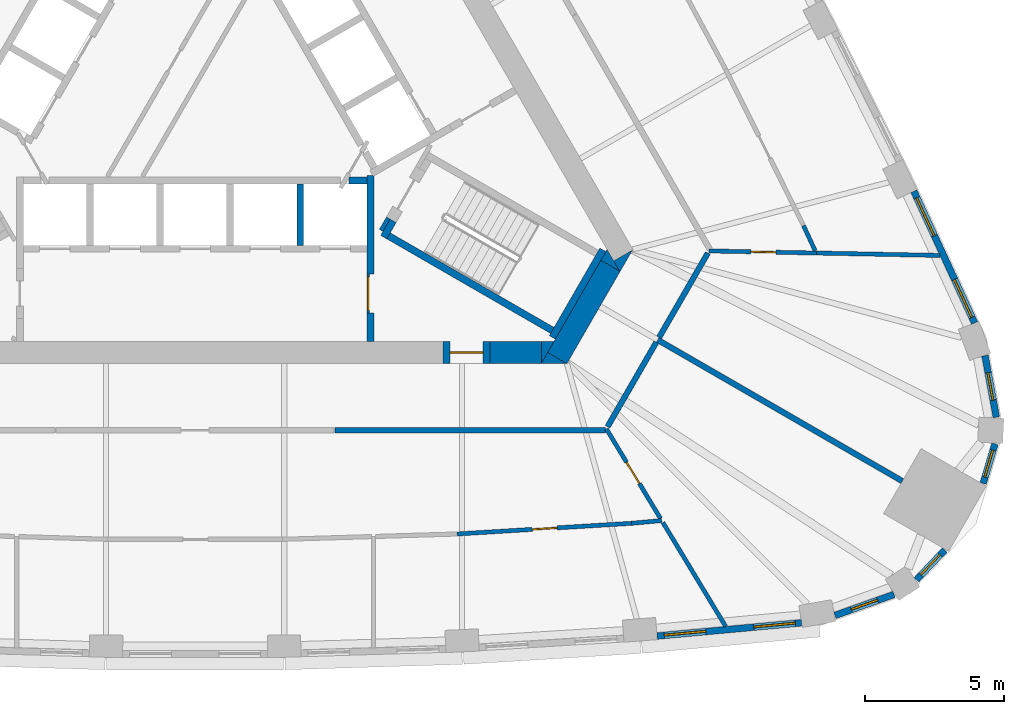
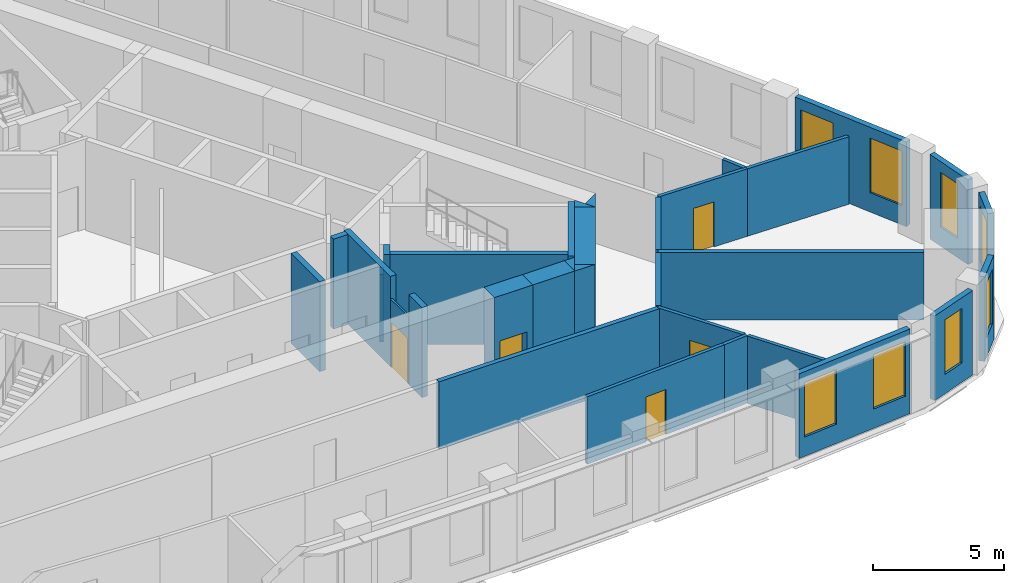
# One storey, part 6 of 10: 33 walls, 8 windows, 5 doors, 13 openings.
"""IFC4 building model written with IfcOpenShell, lengths in metres."""

from ifc_helpers import new_model, si_unit, direction, frame, frame_2d, origin, place, context, subcontext, project, spatial, polyline, rectangle, outline, extrude, material, layer, layer_set, type_object, element, fill, save


model = new_model("IFC4")

# Units and contexts
model_context = context("Model", 3, precision=1e-05, world=origin(), true_north=direction((0.0, 1.0)))
body_context = subcontext(model_context, "Body", "Model", "MODEL_VIEW")
ifc_project = project(units=[si_unit("LENGTHUNIT", "METRE"), si_unit("AREAUNIT", "SQUARE_METRE"), si_unit("VOLUMEUNIT", "CUBIC_METRE"), si_unit("PLANEANGLEUNIT", "RADIAN"), si_unit("MASSUNIT", "GRAM", prefix="KILO")], contexts=[model_context])

# Site, building, storey
site_placement = place(None, origin())
site = spatial("IfcSite", under=ifc_project, at=site_placement, CompositionType="ELEMENT")
building_placement = place(site_placement, origin())
building = spatial("IfcBuilding", under=site, at=building_placement, Name="Mestral Congress Tower", CompositionType="ELEMENT")
storey_placement = place(building_placement, frame((0.0, 0.0, 150.0)))
storey = spatial("IfcBuildingStorey", under=building, at=storey_placement, Name="L35", CompositionType="ELEMENT", Elevation=150.0)

# Wall
ifc_material_1 = material(Name="Fire-rated board partition")
ifc_layer_1 = layer(ifc_material_1, 0.14990234375)
ifc_layer_set_1 = layer_set([ifc_layer_1], Name="Fire-rated board partition")
wall_type_1 = type_object("IfcWallType", Name="Core partition 150", PredefinedType="PARTITIONING", material=ifc_layer_set_1)
wall_1_placement = place(storey_placement, frame((6.94482421875, -5.22216796875, 0.0), z_axis=(0.0, 0.0, 1.0), x_axis=(-0.499818422106, -0.866130212453, 0.0)))
element("IfcWall", 1, at=wall_1_placement, inside=storey, type_object=wall_type_1, Name="L35 core wall", PredefinedType="PARTITIONING", context=body_context, shape_type="SweptSolid", body=[
    extrude(rectangle(XDim=0.513916015625, YDim=0.14990234375, at=frame_2d((0.2568359375, 0.0))), origin(), (0.0, 0.0, 1.0), 3.14990234375),
])

# Wall, opening, door
ifc_layer_2 = layer(ifc_material_1, 0.090087890625)
ifc_layer_set_2 = layer_set([ifc_layer_2], Name="Fire-rated board partition")
wall_type_2 = type_object("IfcWallType", Name="Core partition 150 door-wall 90", PredefinedType="PARTITIONING", material=ifc_layer_set_2)
wall_2_placement = place(storey_placement, frame((6.219970703125, -7.23681640625, 0.0), z_axis=(0.0, 0.0, 1.0), x_axis=(0.0, -1.0, 0.0)))
wall_2 = element("IfcWall", 2, at=wall_2_placement, inside=storey, type_object=wall_type_2, Name="L35 door wall", PredefinedType="PARTITIONING", context=body_context, shape_type="SweptSolid", body=[
    extrude(rectangle(XDim=1.400146484375, YDim=0.090087890625, at=frame_2d((0.7001953125, 0.0))), origin(), (0.0, 0.0, 1.0), 3.14990234375),
])
opening_1_placement = place(wall_2_placement, frame((0.10009765625, 0.0, 0.0)))
opening_1 = element("IfcOpeningElement", 3, at=opening_1_placement, cuts=wall_2, Name="Opening LB0-WL1", PredefinedType="OPENING", context=body_context, shape_type="SweptSolid", body=[
    extrude(rectangle(XDim=1.199951171875, YDim=2.10009765625, at=frame_2d((0.60009765625, 1.050048828125))), frame((0.0, 0.054931640625, 0.0), z_axis=(0.0, -1.0, 0.0), x_axis=(1.0, 0.0, 0.0)), (0.0, 0.0, 1.0), 0.110107421875),
])
ifc_material_2 = material(Name="Fire-rated steel door set", Category="steel")
door_type_1 = type_object("IfcDoorType", Name="Core door LB 1200x2100", OperationType="SINGLE_SWING_LEFT", PredefinedType="DOOR", material=ifc_material_2)
door_1_placement = place(opening_1_placement, origin())
door_1 = element("IfcDoor", 4, at=door_1_placement, inside=storey, type_object=door_type_1, Name="Door LB0-WL1", OperationType="SINGLE_SWING_LEFT", OverallHeight=2.10009765625, OverallWidth=1.199951171875, PredefinedType="DOOR", context=body_context, shape_type="SweptSolid", body=[
    extrude(rectangle(XDim=1.199951171875, YDim=2.10009765625, at=frame_2d((0.60009765625, 1.050048828125))), frame((0.0, 0.02490234375, 0.0), z_axis=(0.0, -1.0, 0.0), x_axis=(1.0, 0.0, 0.0)), (0.0, 0.0, 1.0), 0.050048828125),
])
fill(opening_1, door_1)

# Walls
ifc_material_3 = material(Name="Concrete C60/75", Category="concrete")
ifc_layer_3 = layer(ifc_material_3, 0.800048828125)
ifc_layer_set_3 = layer_set([ifc_layer_3], Name="Concrete C60/75")
wall_type_3 = type_object("IfcWallType", Name="Core wall RC 800", PredefinedType="SOLIDWALL", material=ifc_layer_set_3)
placement = place(storey_placement, origin())
element("IfcWall", 5, at=placement, inside=storey, type_object=wall_type_3, Name="L35 core wall", PredefinedType="SOLIDWALL", context=body_context, shape_type="SweptSolid", body=[
    extrude(outline(polyline([(15.27099609375, -7.14990234375), (15.046875, -6.761962890625), (15.718994140625, -6.3740234375), (15.27099609375, -7.14990234375)])), origin(), (0.0, 0.0, 1.0), 4.199951171875),
])
wall_4_placement = place(storey_placement, frame((13.018310546875, -10.251708984375, 0.0), z_axis=(0.0, 0.0, 1.0), x_axis=(0.499984020225, 0.866034629516, 0.0)))
element("IfcWall", 6, at=wall_4_placement, inside=storey, type_object=wall_type_3, Name="L35 core wall", PredefinedType="SOLIDWALL", context=body_context, shape_type="SweptSolid", body=[
    extrude(rectangle(XDim=3.824462890625, YDim=0.800048828125, at=frame_2d((1.912109375, 0.0))), origin(), (0.0, 0.0, 1.0), 4.199951171875),
])
element("IfcWall", 7, at=placement, inside=storey, type_object=wall_type_3, Name="L35 core wall", PredefinedType="SOLIDWALL", context=body_context, shape_type="SweptSolid", body=[
    extrude(outline(polyline([(12.6708984375, -10.053466796875), (13.35791015625, -10.449951171875), (12.44189453125, -10.449951171875), (12.6708984375, -10.053466796875)])), origin(), (0.0, 0.0, 1.0), 4.199951171875),
])
element("IfcWall", 8, at=placement, inside=storey, type_object=wall_type_3, Name="L35 core wall", PredefinedType="SOLIDWALL", context=body_context, shape_type="SweptSolid", body=[
    extrude(outline(polyline([(14.80908203125, -6.35009765625), (15.257080078125, -7.1259765625), (14.5849609375, -6.738037109375), (14.80908203125, -6.35009765625)])), origin(), (0.0, 0.0, 1.0), 4.199951171875),
])
wall_7_placement = place(storey_placement, frame((10.6044921875, -10.050048828125, 0.0), z_axis=(0.0, 0.0, 1.0), x_axis=(1.0, 0.0, 0.0)))
element("IfcWall", 9, at=wall_7_placement, inside=storey, type_object=wall_type_3, Name="L35 core wall", PredefinedType="SOLIDWALL", context=body_context, shape_type="SweptSolid", body=[
    extrude(rectangle(XDim=1.849365234375, YDim=0.800048828125, at=frame_2d((0.9248046875, 0.0))), origin(), (0.0, 0.0, 1.0), 4.199951171875),
])
element("IfcWall", 10, at=placement, inside=storey, type_object=wall_type_3, Name="L35 core wall", PredefinedType="SOLIDWALL", context=body_context, shape_type="SweptSolid", body=[
    extrude(outline(polyline([(12.90380859375, -9.64990234375), (12.455810546875, -10.42578125), (12.455810546875, -9.64990234375), (12.90380859375, -9.64990234375)])), origin(), (0.0, 0.0, 1.0), 4.199951171875),
])

# Wall, opening, door
wall_9_placement = place(storey_placement, frame((10.6044921875, -10.050048828125, 0.0), z_axis=(0.0, 0.0, 1.0), x_axis=(-1.0, 0.0, 0.0)))
wall_9 = element("IfcWall", 11, at=wall_9_placement, inside=storey, type_object=wall_type_3, Name="L35 door wall", PredefinedType="SOLIDWALL", context=body_context, shape_type="SweptSolid", body=[
    extrude(rectangle(XDim=1.699951171875, YDim=0.800048828125, at=frame_2d((0.85009765625, 0.0))), origin(), (0.0, 0.0, 1.0), 4.199951171875),
])
opening_2_placement = place(wall_9_placement, frame((0.25, 0.0, 0.0)))
opening_2 = element("IfcOpeningElement", 12, at=opening_2_placement, cuts=wall_9, Name="Opening XD1", PredefinedType="OPENING", context=body_context, shape_type="SweptSolid", body=[
    extrude(rectangle(XDim=1.199951171875, YDim=2.10009765625, at=frame_2d((0.60009765625, 1.050048828125))), frame((0.0, 0.409912109375, 0.0), z_axis=(0.0, -1.0, 0.0), x_axis=(1.0, 0.0, 0.0)), (0.0, 0.0, 1.0), 0.820068359375),
])
door_type_2 = type_object("IfcDoorType", Name="Core door XD 1200x2100", OperationType="SINGLE_SWING_LEFT", PredefinedType="DOOR", material=ifc_material_2)
door_2_placement = place(opening_2_placement, origin())
door_2 = element("IfcDoor", 13, at=door_2_placement, inside=storey, type_object=door_type_2, Name="Door XD1", OperationType="SINGLE_SWING_LEFT", OverallHeight=2.10009765625, OverallWidth=1.199951171875, PredefinedType="DOOR", context=body_context, shape_type="SweptSolid", body=[
    extrude(rectangle(XDim=1.199951171875, YDim=2.10009765625, at=frame_2d((0.60009765625, 1.050048828125))), frame((0.0, 0.02490234375, 0.0), z_axis=(0.0, -1.0, 0.0), x_axis=(1.0, 0.0, 0.0)), (0.0, 0.0, 1.0), 0.050048828125),
])
fill(opening_2, door_2)

# Wall, openings, windows
ifc_material_4 = material(Name="Precast concrete C40/50 with limestone facing", Category="masonry")
ifc_layer_4 = layer(ifc_material_4, 0.239990234375)
ifc_layer_set_4 = layer_set([ifc_layer_4], Name="Precast concrete C40/50 with limestone facing")
wall_type_4 = type_object("IfcWallType", Name="Facade stone wall 240", PredefinedType="SOLIDWALL", material=ifc_layer_set_4)
wall_10_placement = place(storey_placement, frame((16.605712890625, -20.24658203125, 0.0), z_axis=(0.0, 0.0, 1.0), x_axis=(0.995808712151, 0.091460422067, 0.0)))
wall_10 = element("IfcWall", 14, at=wall_10_placement, inside=storey, type_object=wall_type_4, Name="Facade wall F0-06", PredefinedType="SOLIDWALL", context=body_context, shape_type="SweptSolid", body=[
    extrude(rectangle(XDim=5.213134765625, YDim=0.239990234375, at=frame_2d((2.6064453125, 0.0))), origin(), (0.0, 0.0, 1.0), 3.949951171875),
])
opening_3_placement = place(wall_10_placement, frame((0.2607421875, 0.0, 0.89990234375)))
opening_3 = element("IfcOpeningElement", 15, at=opening_3_placement, cuts=wall_10, Name="Opening W4", PredefinedType="OPENING", context=body_context, shape_type="SweptSolid", body=[
    extrude(rectangle(XDim=1.5, YDim=2.550048828125, at=frame_2d((0.75, 1.27490234375))), frame((0.0, 0.1298828125, 0.0), z_axis=(0.0, -1.0, 0.0), x_axis=(1.0, 0.0, 0.0)), (0.0, 0.0, 1.0), 0.260009765625),
])
opening_4_placement = place(wall_10_placement, frame((3.492431640625, 0.0, 0.89990234375)))
opening_4 = element("IfcOpeningElement", 16, at=opening_4_placement, cuts=wall_10, Name="Opening W4", PredefinedType="OPENING", context=body_context, shape_type="SweptSolid", body=[
    extrude(rectangle(XDim=1.5, YDim=2.550048828125, at=frame_2d((0.75, 1.27490234375))), frame((0.0, 0.1298828125, 0.0), z_axis=(0.0, -1.0, 0.0), x_axis=(1.0, 0.0, 0.0)), (0.0, 0.0, 1.0), 0.260009765625),
])
ifc_material_5 = material(Name="Clear low-emissivity double glazing", Category="glass")
window_type_1 = type_object("IfcWindowType", Name="Facade punched window 1500 x 2550 sill 900", PartitioningType="SINGLE_PANEL", PredefinedType="WINDOW", material=ifc_material_5)
window_1_placement = place(opening_3_placement, origin())
window_1 = element("IfcWindow", 17, at=window_1_placement, inside=storey, type_object=window_type_1, Name="Window F0-06a", OverallHeight=2.550048828125, OverallWidth=1.5, PartitioningType="SINGLE_PANEL", PredefinedType="WINDOW", context=body_context, shape_type="SweptSolid", body=[
    extrude(rectangle(XDim=1.5, YDim=2.550048828125, at=frame_2d((0.75, 1.27490234375))), frame((0.0, 0.0400390625, 0.0), z_axis=(0.0, -1.0, 0.0), x_axis=(1.0, 0.0, 0.0)), (0.0, 0.0, 1.0), 0.06005859375),
])
fill(opening_3, window_1)
window_2_placement = place(opening_4_placement, origin())
window_2 = element("IfcWindow", 18, at=window_2_placement, inside=storey, type_object=window_type_1, Name="Window F0-06b", OverallHeight=2.550048828125, OverallWidth=1.5, PartitioningType="SINGLE_PANEL", PredefinedType="WINDOW", context=body_context, shape_type="SweptSolid", body=[
    extrude(rectangle(XDim=1.5, YDim=2.550048828125, at=frame_2d((0.75, 1.27490234375))), frame((0.0, 0.0400390625, 0.0), z_axis=(0.0, -1.0, 0.0), x_axis=(1.0, 0.0, 0.0)), (0.0, 0.0, 1.0), 0.06005859375),
])
fill(opening_4, window_2)

# Wall, opening, window
wall_11_placement = place(storey_placement, frame((23.0009765625, -19.50537109375, 0.0), z_axis=(0.0, 0.0, 1.0), x_axis=(0.942099727267, 0.335332825539, 0.0)))
wall_11 = element("IfcWall", 19, at=wall_11_placement, inside=storey, type_object=wall_type_4, Name="Facade wall K0-0", PredefinedType="SOLIDWALL", context=body_context, shape_type="SweptSolid", body=[
    extrude(rectangle(XDim=2.25048828125, YDim=0.239990234375, at=frame_2d((1.125244140625, 0.0))), origin(), (0.0, 0.0, 1.0), 3.949951171875),
])
opening_5_placement = place(wall_11_placement, frame((0.625244140625, 0.0, 0.89990234375)))
opening_5 = element("IfcOpeningElement", 20, at=opening_5_placement, cuts=wall_11, Name="Opening W5", PredefinedType="OPENING", context=body_context, shape_type="SweptSolid", body=[
    extrude(rectangle(XDim=1.0, YDim=2.550048828125, at=frame_2d((0.5, 1.27490234375))), frame((0.0, 0.1298828125, 0.0), z_axis=(0.0, -1.0, 0.0), x_axis=(1.0, 0.0, 0.0)), (0.0, 0.0, 1.0), 0.260009765625),
])
window_type_2 = type_object("IfcWindowType", Name="Facade punched window 1000 x 2550 sill 900", PartitioningType="SINGLE_PANEL", PredefinedType="WINDOW", material=ifc_material_5)
window_3_placement = place(opening_5_placement, origin())
window_3 = element("IfcWindow", 21, at=window_3_placement, inside=storey, type_object=window_type_2, Name="Window K0-0", OverallHeight=2.550048828125, OverallWidth=1.0, PartitioningType="SINGLE_PANEL", PredefinedType="WINDOW", context=body_context, shape_type="SweptSolid", body=[
    extrude(rectangle(XDim=1.0, YDim=2.550048828125, at=frame_2d((0.5, 1.27490234375))), frame((0.0, 0.0400390625, 0.0), z_axis=(0.0, -1.0, 0.0), x_axis=(1.0, 0.0, 0.0)), (0.0, 0.0, 1.0), 0.06005859375),
])
fill(opening_5, window_3)

wall_12_placement = place(storey_placement, frame((25.9267578125, -18.226318359375, 0.0), z_axis=(0.0, 0.0, 1.0), x_axis=(0.687986858937, 0.725723144133, 0.0)))
wall_12 = element("IfcWall", 22, at=wall_12_placement, inside=storey, type_object=wall_type_4, Name="Facade wall K0-1", PredefinedType="SOLIDWALL", context=body_context, shape_type="SweptSolid", body=[
    extrude(rectangle(XDim=1.4814453125, YDim=0.239990234375, at=frame_2d((0.74072265625, 0.0))), origin(), (0.0, 0.0, 1.0), 3.949951171875),
])
opening_6_placement = place(wall_12_placement, frame((0.24072265625, 0.0, 0.89990234375)))
opening_6 = element("IfcOpeningElement", 23, at=opening_6_placement, cuts=wall_12, Name="Opening W5", PredefinedType="OPENING", context=body_context, shape_type="SweptSolid", body=[
    extrude(rectangle(XDim=1.0, YDim=2.550048828125, at=frame_2d((0.5, 1.27490234375))), frame((0.0, 0.1298828125, 0.0), z_axis=(0.0, -1.0, 0.0), x_axis=(1.0, 0.0, 0.0)), (0.0, 0.0, 1.0), 0.260009765625),
])
window_4_placement = place(opening_6_placement, origin())
window_4 = element("IfcWindow", 24, at=window_4_placement, inside=storey, type_object=window_type_2, Name="Window K0-1", OverallHeight=2.550048828125, OverallWidth=1.0, PartitioningType="SINGLE_PANEL", PredefinedType="WINDOW", context=body_context, shape_type="SweptSolid", body=[
    extrude(rectangle(XDim=1.0, YDim=2.550048828125, at=frame_2d((0.5, 1.27490234375))), frame((0.0, 0.0400390625, 0.0), z_axis=(0.0, -1.0, 0.0), x_axis=(1.0, 0.0, 0.0)), (0.0, 0.0, 1.0), 0.06005859375),
])
fill(opening_6, window_4)

wall_13_placement = place(storey_placement, frame((28.326416015625, -14.760498046875, 0.0), z_axis=(0.0, 0.0, 1.0), x_axis=(0.284413721403, 0.958701640281, 0.0)))
wall_13 = element("IfcWall", 25, at=wall_13_placement, inside=storey, type_object=wall_type_4, Name="Facade wall K0-2", PredefinedType="SOLIDWALL", context=body_context, shape_type="SweptSolid", body=[
    extrude(rectangle(XDim=1.481689453125, YDim=0.239990234375, at=frame_2d((0.74072265625, 0.0))), origin(), (0.0, 0.0, 1.0), 3.949951171875),
])
opening_7_placement = place(wall_13_placement, frame((0.24072265625, 0.0, 0.89990234375)))
opening_7 = element("IfcOpeningElement", 26, at=opening_7_placement, cuts=wall_13, Name="Opening W5", PredefinedType="OPENING", context=body_context, shape_type="SweptSolid", body=[
    extrude(rectangle(XDim=1.0, YDim=2.550048828125, at=frame_2d((0.5, 1.27490234375))), frame((0.0, 0.1298828125, 0.0), z_axis=(0.0, -1.0, 0.0), x_axis=(1.0, 0.0, 0.0)), (0.0, 0.0, 1.0), 0.260009765625),
])
window_5_placement = place(opening_7_placement, origin())
window_5 = element("IfcWindow", 27, at=window_5_placement, inside=storey, type_object=window_type_2, Name="Window K0-2", OverallHeight=2.550048828125, OverallWidth=1.0, PartitioningType="SINGLE_PANEL", PredefinedType="WINDOW", context=body_context, shape_type="SweptSolid", body=[
    extrude(rectangle(XDim=1.0, YDim=2.550048828125, at=frame_2d((0.5, 1.27490234375))), frame((0.0, 0.0400390625, 0.0), z_axis=(0.0, -1.0, 0.0), x_axis=(1.0, 0.0, 0.0)), (0.0, 0.0, 1.0), 0.06005859375),
])
fill(opening_7, window_5)

wall_14_placement = place(storey_placement, frame((28.79931640625, -12.380126953125, 0.0), z_axis=(0.0, 0.0, 1.0), x_axis=(-0.180737189259, 0.983531427265, 0.0)))
wall_14 = element("IfcWall", 28, at=wall_14_placement, inside=storey, type_object=wall_type_4, Name="Facade wall K0-3", PredefinedType="SOLIDWALL", context=body_context, shape_type="SweptSolid", body=[
    extrude(rectangle(XDim=2.25048828125, YDim=0.239990234375, at=frame_2d((1.125244140625, 0.0))), origin(), (0.0, 0.0, 1.0), 3.949951171875),
])
opening_8_placement = place(wall_14_placement, frame((0.625244140625, 0.0, 0.89990234375)))
opening_8 = element("IfcOpeningElement", 29, at=opening_8_placement, cuts=wall_14, Name="Opening W5", PredefinedType="OPENING", context=body_context, shape_type="SweptSolid", body=[
    extrude(rectangle(XDim=1.0, YDim=2.550048828125, at=frame_2d((0.5, 1.27490234375))), frame((0.0, 0.1298828125, 0.0), z_axis=(0.0, -1.0, 0.0), x_axis=(1.0, 0.0, 0.0)), (0.0, 0.0, 1.0), 0.260009765625),
])
window_6_placement = place(opening_8_placement, origin())
window_6 = element("IfcWindow", 30, at=window_6_placement, inside=storey, type_object=window_type_2, Name="Window K0-3", OverallHeight=2.550048828125, OverallWidth=1.0, PartitioningType="SINGLE_PANEL", PredefinedType="WINDOW", context=body_context, shape_type="SweptSolid", body=[
    extrude(rectangle(XDim=1.0, YDim=2.550048828125, at=frame_2d((0.5, 1.27490234375))), frame((0.0, 0.0400390625, 0.0), z_axis=(0.0, -1.0, 0.0), x_axis=(1.0, 0.0, 0.0)), (0.0, 0.0, 1.0), 0.06005859375),
])
fill(opening_8, window_6)

# Wall, openings, windows
wall_15_placement = place(storey_placement, frame((28.019775390625, -8.991943359375, 0.0), z_axis=(0.0, 0.0, 1.0), x_axis=(-0.418722559465, 0.908114209885, 0.0)))
wall_15 = element("IfcWall", 31, at=wall_15_placement, inside=storey, type_object=wall_type_4, Name="Facade wall F1-00", PredefinedType="SOLIDWALL", context=body_context, shape_type="SweptSolid", body=[
    extrude(rectangle(XDim=5.213134765625, YDim=0.239990234375, at=frame_2d((2.6064453125, 0.0))), origin(), (0.0, 0.0, 1.0), 3.949951171875),
])
opening_9_placement = place(wall_15_placement, frame((0.220947265625, 0.0, 0.89990234375)))
opening_9 = element("IfcOpeningElement", 32, at=opening_9_placement, cuts=wall_15, Name="Opening W4", PredefinedType="OPENING", context=body_context, shape_type="SweptSolid", body=[
    extrude(rectangle(XDim=1.5, YDim=2.550048828125, at=frame_2d((0.75, 1.27490234375))), frame((0.0, 0.1298828125, 0.0), z_axis=(0.0, -1.0, 0.0), x_axis=(1.0, 0.0, 0.0)), (0.0, 0.0, 1.0), 0.260009765625),
])
opening_10_placement = place(wall_15_placement, frame((3.452392578125, 0.0, 0.89990234375)))
opening_10 = element("IfcOpeningElement", 33, at=opening_10_placement, cuts=wall_15, Name="Opening W4", PredefinedType="OPENING", context=body_context, shape_type="SweptSolid", body=[
    extrude(rectangle(XDim=1.5, YDim=2.550048828125, at=frame_2d((0.75, 1.27490234375))), frame((0.0, 0.1298828125, 0.0), z_axis=(0.0, -1.0, 0.0), x_axis=(1.0, 0.0, 0.0)), (0.0, 0.0, 1.0), 0.260009765625),
])
window_7_placement = place(opening_9_placement, origin())
window_7 = element("IfcWindow", 34, at=window_7_placement, inside=storey, type_object=window_type_1, Name="Window F1-00a", OverallHeight=2.550048828125, OverallWidth=1.5, PartitioningType="SINGLE_PANEL", PredefinedType="WINDOW", context=body_context, shape_type="SweptSolid", body=[
    extrude(rectangle(XDim=1.5, YDim=2.550048828125, at=frame_2d((0.75, 1.27490234375))), frame((0.0, 0.0400390625, 0.0), z_axis=(0.0, -1.0, 0.0), x_axis=(1.0, 0.0, 0.0)), (0.0, 0.0, 1.0), 0.06005859375),
])
fill(opening_9, window_7)
window_8_placement = place(opening_10_placement, origin())
window_8 = element("IfcWindow", 35, at=window_8_placement, inside=storey, type_object=window_type_1, Name="Window F1-00b", OverallHeight=2.550048828125, OverallWidth=1.5, PartitioningType="SINGLE_PANEL", PredefinedType="WINDOW", context=body_context, shape_type="SweptSolid", body=[
    extrude(rectangle(XDim=1.5, YDim=2.550048828125, at=frame_2d((0.75, 1.27490234375))), frame((0.0, 0.0400390625, 0.0), z_axis=(0.0, -1.0, 0.0), x_axis=(1.0, 0.0, 0.0)), (0.0, 0.0, 1.0), 0.06005859375),
])
fill(opening_10, window_8)

# Wall, opening, door
ifc_material_6 = material(Name="Plasterboard partition on steel studs", Category="steel")
ifc_layer_5 = layer(ifc_material_6, 0.14990234375)
ifc_layer_set_5 = layer_set([ifc_layer_5], Name="Plasterboard partition on steel studs")
wall_type_5 = type_object("IfcWallType", Name="Office partition 150", PredefinedType="PARTITIONING", material=ifc_layer_set_5)
wall_16_placement = place(storey_placement, frame((15.691650390625, -16.193115234375, 0.0), z_axis=(0.0, 0.0, 1.0), x_axis=(-0.998137075468, -0.061011298754, 0.0)))
wall_16 = element("IfcWall", 36, at=wall_16_placement, inside=storey, type_object=wall_type_5, Name="Partition", PredefinedType="PARTITIONING", context=body_context, shape_type="SweptSolid", body=[
    extrude(rectangle(XDim=6.282470703125, YDim=0.14990234375, at=frame_2d((3.14111328125, 0.0))), origin(), (0.0, 0.0, 1.0), 3.14990234375),
])
opening_11_placement = place(wall_16_placement, frame((2.6826171875, 0.0, 0.0)))
opening_11 = element("IfcOpeningElement", 37, at=opening_11_placement, cuts=wall_16, Name="Opening O01-004", PredefinedType="OPENING", context=body_context, shape_type="SweptSolid", body=[
    extrude(rectangle(XDim=0.89990234375, YDim=2.10009765625, at=frame_2d((0.449951171875, 1.050048828125))), frame((0.0, 0.0849609375, 0.0), z_axis=(0.0, -1.0, 0.0), x_axis=(1.0, 0.0, 0.0)), (0.0, 0.0, 1.0), 0.169921875),
])
ifc_material_7 = material(Name="Timber door set", Category="wood")
door_type_3 = type_object("IfcDoorType", Name="Office door 900x2100", OperationType="SINGLE_SWING_LEFT", PredefinedType="DOOR", material=ifc_material_7)
door_3_placement = place(opening_11_placement, origin())
door_3 = element("IfcDoor", 38, at=door_3_placement, inside=storey, type_object=door_type_3, Name="Door O01-004", OperationType="SINGLE_SWING_LEFT", OverallHeight=2.10009765625, OverallWidth=0.89990234375, PredefinedType="DOOR", context=body_context, shape_type="SweptSolid", body=[
    extrude(rectangle(XDim=0.89990234375, YDim=2.10009765625, at=frame_2d((0.449951171875, 1.050048828125))), frame((0.0, 0.02490234375, 0.0), z_axis=(0.0, -1.0, 0.0), x_axis=(1.0, 0.0, 0.0)), (0.0, 0.0, 1.0), 0.050048828125),
])
fill(opening_11, door_3)

# Walls
wall_17_placement = place(storey_placement, frame((15.691650390625, -16.193115234375, 0.0), z_axis=(0.0, 0.0, 1.0), x_axis=(0.995822859979, 0.091306251389, 0.0)))
element("IfcWall", 39, at=wall_17_placement, inside=storey, type_object=wall_type_5, Name="Partition", PredefinedType="PARTITIONING", context=body_context, shape_type="SweptSolid", body=[
    extrude(rectangle(XDim=1.085693359375, YDim=0.14990234375, at=frame_2d((0.54296875, 0.0))), origin(), (0.0, 0.0, 1.0), 3.14990234375),
])
wall_18_placement = place(storey_placement, frame((16.81591796875, -16.165283203125, 0.0), z_axis=(0.0, 0.0, 1.0), x_axis=(0.516814925326, -0.85609715159, 0.0)))
element("IfcWall", 40, at=wall_18_placement, inside=storey, type_object=wall_type_5, Name="Partition", PredefinedType="PARTITIONING", context=body_context, shape_type="SweptSolid", body=[
    extrude(rectangle(XDim=4.362060546875, YDim=0.14990234375, at=frame_2d((2.18115234375, 0.0))), origin(), (0.0, 0.0, 1.0), 3.14990234375),
])

# Wall, opening, door
wall_19_placement = place(storey_placement, frame((14.7822265625, -12.79638671875, 0.0), z_axis=(0.0, 0.0, 1.0), x_axis=(0.516809076879, -0.856100682196, 0.0)))
wall_19 = element("IfcWall", 41, at=wall_19_placement, inside=storey, type_object=wall_type_5, Name="Partition", PredefinedType="PARTITIONING", context=body_context, shape_type="SweptSolid", body=[
    extrude(rectangle(XDim=3.768310546875, YDim=0.14990234375, at=frame_2d((1.88427734375, 0.0))), origin(), (0.0, 0.0, 1.0), 3.14990234375),
])
opening_12_placement = place(wall_19_placement, frame((1.39990234375, 0.0, 0.0)))
opening_12 = element("IfcOpeningElement", 42, at=opening_12_placement, cuts=wall_19, Name="Opening O01-006", PredefinedType="OPENING", context=body_context, shape_type="SweptSolid", body=[
    extrude(rectangle(XDim=0.89990234375, YDim=2.10009765625, at=frame_2d((0.449951171875, 1.050048828125))), frame((0.0, 0.0849609375, 0.0), z_axis=(0.0, -1.0, 0.0), x_axis=(1.0, 0.0, 0.0)), (0.0, 0.0, 1.0), 0.169921875),
])
door_4_placement = place(opening_12_placement, origin())
door_4 = element("IfcDoor", 43, at=door_4_placement, inside=storey, type_object=door_type_3, Name="Door O01-006", OperationType="SINGLE_SWING_LEFT", OverallHeight=2.10009765625, OverallWidth=0.89990234375, PredefinedType="DOOR", context=body_context, shape_type="SweptSolid", body=[
    extrude(rectangle(XDim=0.89990234375, YDim=2.10009765625, at=frame_2d((0.449951171875, 1.050048828125))), frame((0.0, 0.02490234375, 0.0), z_axis=(0.0, -1.0, 0.0), x_axis=(1.0, 0.0, 0.0)), (0.0, 0.0, 1.0), 0.050048828125),
])
fill(opening_12, door_4)

# Wall
wall_20_placement = place(storey_placement, frame((22.319580078125, -6.478515625, 0.0), z_axis=(0.0, 0.0, 1.0), x_axis=(0.999809252738, -0.019530953357, 0.0)))
element("IfcWall", 44, at=wall_20_placement, inside=storey, type_object=wall_type_5, Name="Partition", PredefinedType="PARTITIONING", context=body_context, shape_type="SweptSolid", body=[
    extrude(rectangle(XDim=4.449951171875, YDim=0.14990234375, at=frame_2d((2.22509765625, 0.0))), origin(), (0.0, 0.0, 1.0), 3.14990234375),
])

# Wall, opening, door
wall_21_placement = place(storey_placement, frame((22.328125, -6.478759765625, 0.0), z_axis=(0.0, 0.0, 1.0), x_axis=(-0.999809811932, 0.019502306655, 0.0)))
wall_21 = element("IfcWall", 45, at=wall_21_placement, inside=storey, type_object=wall_type_5, Name="Partition", PredefinedType="PARTITIONING", context=body_context, shape_type="SweptSolid", body=[
    extrude(rectangle(XDim=3.855712890625, YDim=0.14990234375, at=frame_2d((1.927734375, 0.0))), origin(), (0.0, 0.0, 1.0), 3.14990234375),
])
opening_13_placement = place(wall_21_placement, frame((1.45556640625, 0.0, 0.0)))
opening_13 = element("IfcOpeningElement", 46, at=opening_13_placement, cuts=wall_21, Name="Opening O01-007", PredefinedType="OPENING", context=body_context, shape_type="SweptSolid", body=[
    extrude(rectangle(XDim=0.89990234375, YDim=2.10009765625, at=frame_2d((0.449951171875, 1.050048828125))), frame((0.0, 0.0849609375, 0.0), z_axis=(0.0, -1.0, 0.0), x_axis=(1.0, 0.0, 0.0)), (0.0, 0.0, 1.0), 0.169921875),
])
door_5_placement = place(opening_13_placement, origin())
door_5 = element("IfcDoor", 47, at=door_5_placement, inside=storey, type_object=door_type_3, Name="Door O01-007", OperationType="SINGLE_SWING_LEFT", OverallHeight=2.10009765625, OverallWidth=0.89990234375, PredefinedType="DOOR", context=body_context, shape_type="SweptSolid", body=[
    extrude(rectangle(XDim=0.89990234375, YDim=2.10009765625, at=frame_2d((0.449951171875, 1.050048828125))), frame((0.0, 0.02490234375, 0.0), z_axis=(0.0, -1.0, 0.0), x_axis=(1.0, 0.0, 0.0)), (0.0, 0.0, 1.0), 0.050048828125),
])
fill(opening_13, door_5)

# Walls
wall_22_placement = place(storey_placement, frame((22.289306640625, -6.403076171875, 0.0), z_axis=(0.0, 0.0, 1.0), x_axis=(-0.41893460807, 0.908016406328, 0.0)))
element("IfcWall", 48, at=wall_22_placement, inside=storey, type_object=wall_type_5, Name="Partition", PredefinedType="PARTITIONING", context=body_context, shape_type="SweptSolid", body=[
    extrude(rectangle(XDim=1.00244140625, YDim=0.14990234375, at=frame_2d((0.501220703125, 0.0))), origin(), (0.0, 0.0, 1.0), 3.14990234375),
])
ifc_material_8 = material(Name="Dense masonry wall, plastered", Category="masonry")
ifc_layer_6 = layer(ifc_material_8, 0.199951171875)
ifc_layer_set_6 = layer_set([ifc_layer_6], Name="Dense masonry wall, plastered")
wall_type_6 = type_object("IfcWallType", Name="Office tenancy wall 200", PredefinedType="PARTITIONING", material=ifc_layer_set_6)
wall_23_placement = place(storey_placement, frame((5.030029296875, -12.85009765625, 0.0), z_axis=(0.0, 0.0, 1.0), x_axis=(1.0, 0.0, 0.0)))
element("IfcWall", 49, at=wall_23_placement, inside=storey, type_object=wall_type_6, Name="Tenancy wall", PredefinedType="PARTITIONING", context=body_context, shape_type="SweptSolid", body=[
    extrude(rectangle(XDim=9.72119140625, YDim=0.199951171875, at=frame_2d((4.860595703125, 0.0))), origin(), (0.0, 0.0, 1.0), 3.14990234375),
])
wall_24_placement = place(storey_placement, frame((16.627685546875, -9.60009765625, 0.0), z_axis=(0.0, 0.0, 1.0), x_axis=(0.866031435434, -0.499989552732, 0.0)))
element("IfcWall", 50, at=wall_24_placement, inside=storey, type_object=wall_type_6, Name="Tenancy wall", PredefinedType="PARTITIONING", context=body_context, shape_type="SweptSolid", body=[
    extrude(rectangle(XDim=10.154052734375, YDim=0.199951171875, at=frame_2d((5.0771484375, 0.0))), origin(), (0.0, 0.0, 1.0), 3.14990234375),
])
wall_25_placement = place(storey_placement, frame((14.824951171875, -12.722412109375, 0.0), z_axis=(0.0, 0.0, 1.0), x_axis=(0.499981686864, 0.86603597662, 0.0)))
element("IfcWall", 51, at=wall_25_placement, inside=storey, type_object=wall_type_6, Name="Tenancy wall", PredefinedType="PARTITIONING", context=body_context, shape_type="SweptSolid", body=[
    extrude(rectangle(XDim=3.505615234375, YDim=0.199951171875, at=frame_2d((1.7529296875, 0.0))), origin(), (0.0, 0.0, 1.0), 3.14990234375),
])
wall_26_placement = place(storey_placement, frame((16.677734375, -9.513427734375, 0.0), z_axis=(0.0, 0.0, 1.0), x_axis=(0.500011844827, 0.866018565062, 0.0)))
element("IfcWall", 52, at=wall_26_placement, inside=storey, type_object=wall_type_6, Name="Tenancy wall", PredefinedType="PARTITIONING", context=body_context, shape_type="SweptSolid", body=[
    extrude(rectangle(XDim=3.50537109375, YDim=0.199951171875, at=frame_2d((1.752685546875, 0.0))), origin(), (0.0, 0.0, 1.0), 3.14990234375),
])
ifc_layer_7 = layer(ifc_material_3, 0.25)
ifc_layer_set_7 = layer_set([ifc_layer_7], Name="Concrete C60/75")
wall_type_7 = type_object("IfcWallType", Name="Shaft wall RC 250", PredefinedType="SOLIDWALL", material=ifc_layer_set_7)
wall_27_placement = place(storey_placement, frame((3.780029296875, -4.0, 0.0), z_axis=(0.0, 0.0, 1.0), x_axis=(0.0, -1.0, 0.0)))
element("IfcWall", 53, at=wall_27_placement, inside=storey, type_object=wall_type_7, Name="L35 core wall", PredefinedType="SOLIDWALL", context=body_context, shape_type="SweptSolid", body=[
    extrude(rectangle(XDim=2.199951171875, YDim=0.25, at=frame_2d((1.10009765625, 0.0))), origin(), (0.0, 0.0, 1.0), 4.199951171875),
])
wall_28_placement = place(storey_placement, frame((6.300048828125, -7.239990234375, 0.0), z_axis=(0.0, 0.0, 1.0), x_axis=(0.0, 1.0, 0.0)))
element("IfcWall", 54, at=wall_28_placement, inside=storey, type_object=wall_type_7, Name="L35 core wall", PredefinedType="SOLIDWALL", context=body_context, shape_type="SweptSolid", body=[
    extrude(rectangle(XDim=3.55615234375, YDim=0.25, at=frame_2d((1.778076171875, 0.0))), origin(), (0.0, 0.0, 1.0), 4.199951171875),
])
wall_29_placement = place(storey_placement, frame((6.300048828125, -9.64990234375, 0.0), z_axis=(0.0, 0.0, 1.0), x_axis=(0.0, 1.0, 0.0)))
element("IfcWall", 55, at=wall_29_placement, inside=storey, type_object=wall_type_7, Name="L35 core wall", PredefinedType="SOLIDWALL", context=body_context, shape_type="SweptSolid", body=[
    extrude(rectangle(XDim=1.0078125, YDim=0.25, at=frame_2d((0.50390625, 0.0))), origin(), (0.0, 0.0, 1.0), 4.199951171875),
])
wall_30_placement = place(storey_placement, frame((5.538330078125, -3.875, 0.0), z_axis=(0.0, 0.0, 1.0), x_axis=(1.0, 0.0, 0.0)))
element("IfcWall", 56, at=wall_30_placement, inside=storey, type_object=wall_type_7, Name="L35 core wall", PredefinedType="SOLIDWALL", context=body_context, shape_type="SweptSolid", body=[
    extrude(rectangle(XDim=0.63671875, YDim=0.25, at=frame_2d((0.318359375, 0.0))), origin(), (0.0, 0.0, 1.0), 4.199951171875),
])
ifc_layer_8 = layer(ifc_material_3, 0.25)
ifc_layer_set_8 = layer_set([ifc_layer_8], Name="Concrete C60/75")
wall_type_8 = type_object("IfcWallType", Name="Stair wall RC 250", PredefinedType="SOLIDWALL", material=ifc_layer_set_8)
wall_31_placement = place(storey_placement, frame((12.839599609375, -9.510986328125, 0.0), z_axis=(0.0, 0.0, 1.0), x_axis=(0.499997733992, 0.866026712061, 0.0)))
element("IfcWall", 57, at=wall_31_placement, inside=storey, type_object=wall_type_8, Name="L35 core wall", PredefinedType="SOLIDWALL", context=body_context, shape_type="SweptSolid", body=[
    extrude(rectangle(XDim=3.6337890625, YDim=0.25, at=frame_2d((1.81689453125, 0.0))), origin(), (0.0, 0.0, 1.0), 4.199951171875),
])
wall_32_placement = place(storey_placement, frame((12.83984375, -9.2607421875, 0.0), z_axis=(0.0, 0.0, 1.0), x_axis=(-0.866013990052, 0.500019768644, 0.0)))
element("IfcWall", 58, at=wall_32_placement, inside=storey, type_object=wall_type_8, Name="L35 core wall", PredefinedType="SOLIDWALL", context=body_context, shape_type="SweptSolid", body=[
    extrude(rectangle(XDim=6.800048828125, YDim=0.25, at=frame_2d((3.39990234375, 0.0))), origin(), (0.0, 0.0, 1.0), 4.199951171875),
])
wall_33_placement = place(storey_placement, frame((6.780029296875, -5.906494140625, 0.0), z_axis=(0.0, 0.0, 1.0), x_axis=(0.500223362819, 0.865896406789, 0.0)))
element("IfcWall", 59, at=wall_33_placement, inside=storey, type_object=wall_type_8, Name="L35 core wall", PredefinedType="SOLIDWALL", context=body_context, shape_type="SweptSolid", body=[
    extrude(rectangle(XDim=0.675048828125, YDim=0.25, at=frame_2d((0.33740234375, 0.0))), origin(), (0.0, 0.0, 1.0), 4.199951171875),
])

save(model, "model.ifc")
